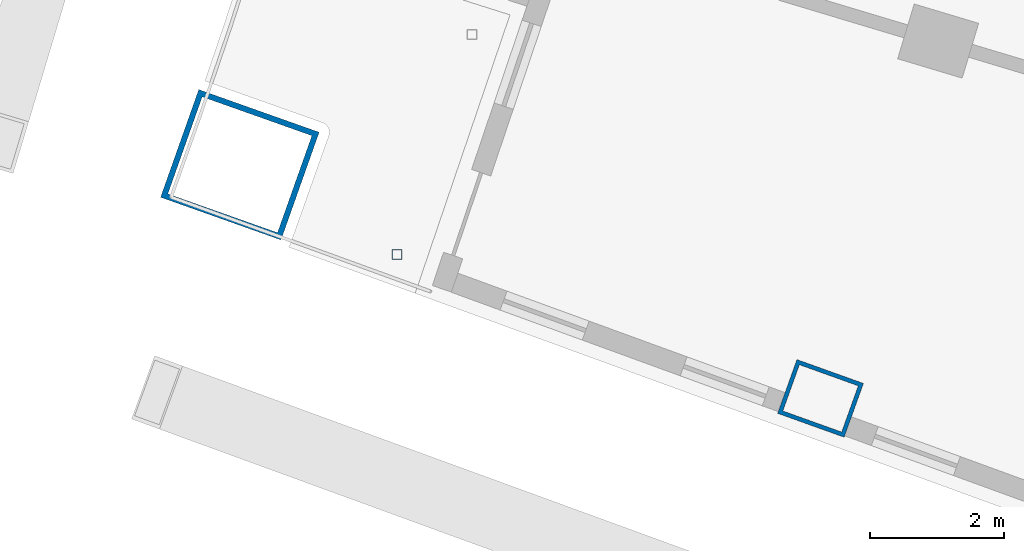
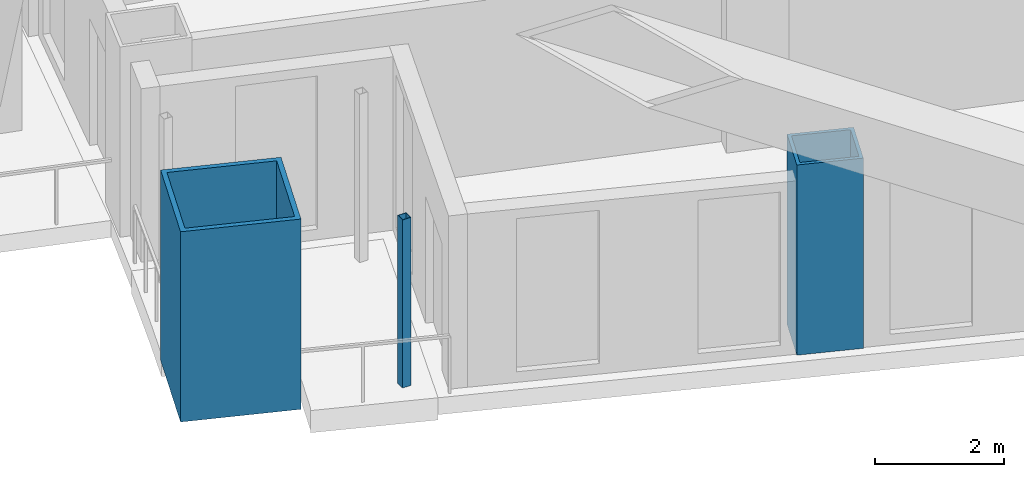
# One storey, part 1 of 25: 3 columns.
"""IFC4 building model written with IfcOpenShell, lengths in metres."""

from ifc_helpers import new_model, si_unit, direction, frame, origin, origin_2d, place, context, subcontext, project, spatial, hollow_rectangle, extrude, material, material_profile, profile_set, type_object, element, save


model = new_model("IFC4")

# Units and contexts
model_context = context("Model", 3, precision=1e-05, world=origin(), true_north=direction((0.0, 1.0)))
body_context = subcontext(model_context, "Body", "Model", "MODEL_VIEW")
ifc_project = project(units=[si_unit("LENGTHUNIT", "METRE"), si_unit("AREAUNIT", "SQUARE_METRE"), si_unit("VOLUMEUNIT", "CUBIC_METRE"), si_unit("PLANEANGLEUNIT", "RADIAN"), si_unit("MASSUNIT", "GRAM", prefix="KILO")], contexts=[model_context])

# Site, building, storey
site_placement = place(None, origin())
site = spatial("IfcSite", under=ifc_project, at=site_placement, CompositionType="ELEMENT")
building_placement = place(site_placement, origin())
building = spatial("IfcBuilding", under=site, at=building_placement, Name="Alderwake Tower", CompositionType="ELEMENT")
storey_placement = place(building_placement, frame((0.0, 0.0, 114.800048828125)))
storey = spatial("IfcBuildingStorey", under=building, at=storey_placement, Name="L28", CompositionType="ELEMENT", Elevation=114.800048828125)

# Columns
ifc_material_1 = material(Name="Steel ASTM A572 Grade 50 concrete filled C70/85", Category="concrete")
ifc_material_profile_1 = material_profile(ifc_material_1, hollow_rectangle(XDim=0.85009765625, YDim=1.050048828125, WallThickness=0.06005859375, at=origin_2d()), Name="BOX 1050X850X60")
ifc_profile_set_1 = profile_set([ifc_material_profile_1], Name="Steel ASTM A572 Grade 50 concrete filled C70/85")
column_type_1 = type_object("IfcColumnType", Name="End column Z2", PredefinedType="COLUMN", material=ifc_profile_set_1)
column_1_placement = place(storey_placement, frame((19.965576171875, 25.1484375, 0.0), z_axis=(0.0, 0.0, 1.0), x_axis=(0.337584879279, 0.9412950915, 0.0)))
element("IfcColumn", 1, at=column_1_placement, inside=storey, type_object=column_type_1, Name="Column R01-C1", PredefinedType="COLUMN", context=body_context, shape_type="SweptSolid", body=[
    extrude(hollow_rectangle(XDim=0.85009765625, YDim=1.050048828125, WallThickness=0.06005859375, at=origin_2d()), origin(), (0.0, 0.0, 1.0), 3.599853515625),
])
ifc_material_2 = material(Name="Steel ASTM A500 Grade C", Category="steel")
ifc_material_profile_2 = material_profile(ifc_material_2, hollow_rectangle(XDim=0.15234375, YDim=0.15234375, WallThickness=0.0087890625, at=origin_2d()), Name="HSS6X6X3/8")
ifc_profile_set_2 = profile_set([ifc_material_profile_2], Name="Steel ASTM A500 Grade C")
column_type_2 = type_object("IfcColumnType", Name="Light post HSS6X6X3/8", PredefinedType="COLUMN", material=ifc_profile_set_2)
column_2_placement = place(storey_placement, frame((13.66796875, 27.28759765625, 0.0), z_axis=(0.0, 0.0, 1.0), x_axis=(1.0, 0.0, 0.0)))
element("IfcColumn", 2, at=column_2_placement, inside=storey, type_object=column_type_2, Name="Terrace post RS2", PredefinedType="COLUMN", context=body_context, shape_type="SweptSolid", body=[
    extrude(hollow_rectangle(XDim=0.15234375, YDim=0.15234375, WallThickness=0.0087890625, at=origin_2d()), origin(), (0.0, 0.0, 1.0), 3.179931640625),
])
ifc_material_3 = material(Name="Steel ASTM A572 Grade 50 concrete filled C70/85", Category="concrete")
ifc_material_profile_3 = material_profile(ifc_material_3, hollow_rectangle(XDim=1.699951171875, YDim=1.89990234375, WallThickness=0.0849609375, at=origin_2d()), Name="BOX 1900X1700X85")
ifc_profile_set_3 = profile_set([ifc_material_profile_3], Name="Steel ASTM A572 Grade 50 concrete filled C70/85")
column_type_3 = type_object("IfcColumnType", Name="Mega column Z2", PredefinedType="COLUMN", material=ifc_profile_set_3)
column_3_placement = place(storey_placement, frame((11.330810546875, 28.622802734375, 0.0), z_axis=(0.0, 0.0, 1.0), x_axis=(0.334130947791, 0.942526662609, 0.0)))
element("IfcColumn", 3, at=column_3_placement, inside=storey, type_object=column_type_3, Name="Column R01-C0", PredefinedType="COLUMN", context=body_context, shape_type="SweptSolid", body=[
    extrude(hollow_rectangle(XDim=1.699951171875, YDim=1.89990234375, WallThickness=0.0849609375, at=origin_2d()), origin(), (0.0, 0.0, 1.0), 3.599853515625),
])

save(model, "model.ifc")
